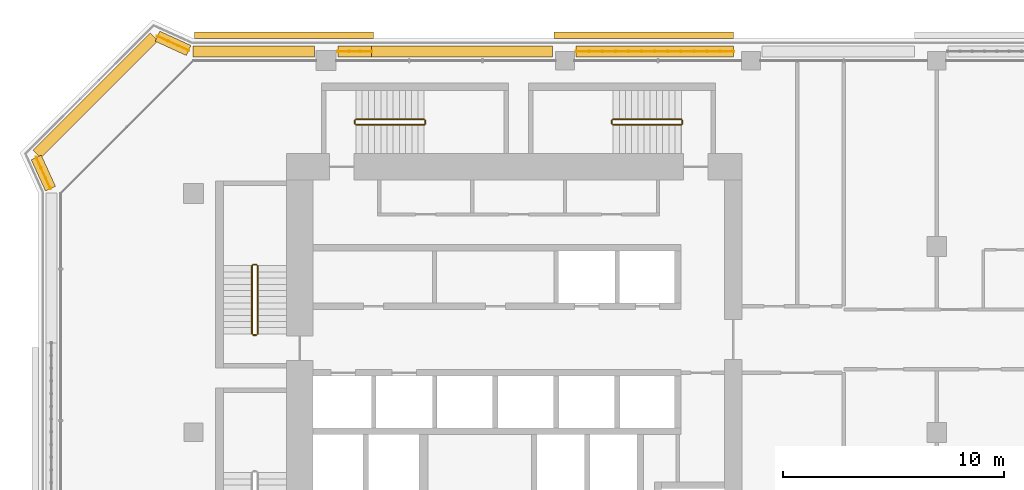
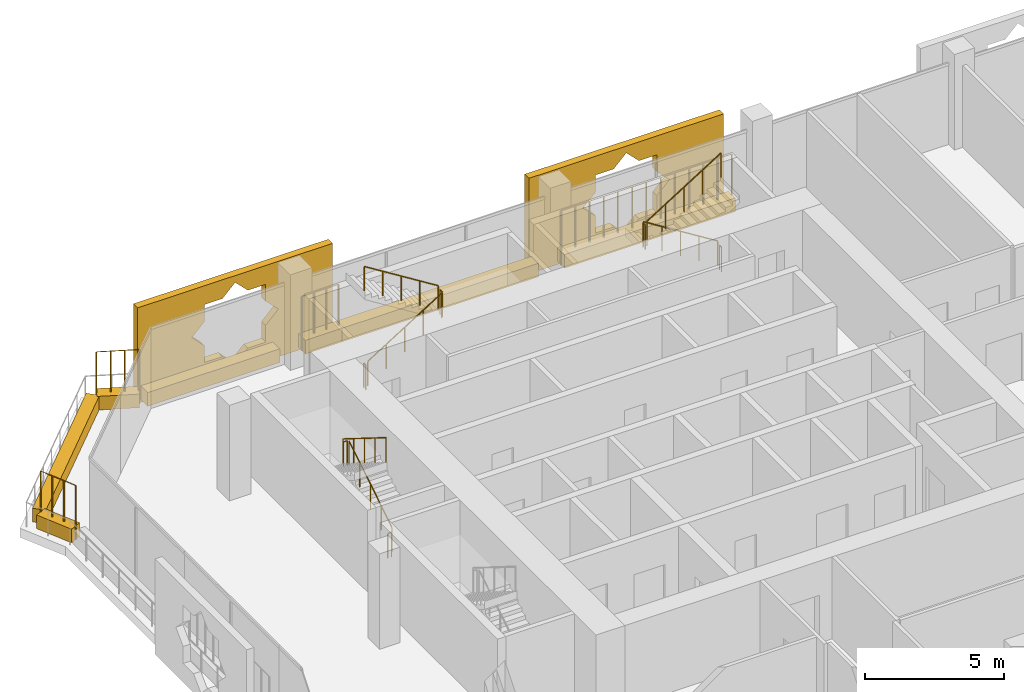
# One storey, part 20 of 22: 16 railings, 9 coverings.
"""IFC4 building model written with IfcOpenShell, lengths in metres."""

from ifc_helpers import new_model, si_unit, direction, frame, origin, origin_2d, place, context, subcontext, project, spatial, polyline, rectangle, circle, outline, extrude, material, material_profile, profile_set, type_object, element, save


model = new_model("IFC4")

# Units and contexts
model_context = context("Model", 3, precision=1e-05, world=origin(), true_north=direction((0.0, 1.0)))
body_context = subcontext(model_context, "Body", "Model", "MODEL_VIEW")
ifc_project = project(units=[si_unit("LENGTHUNIT", "METRE"), si_unit("AREAUNIT", "SQUARE_METRE"), si_unit("VOLUMEUNIT", "CUBIC_METRE"), si_unit("PLANEANGLEUNIT", "RADIAN"), si_unit("MASSUNIT", "GRAM", prefix="KILO")], contexts=[model_context])

# Site, building, storey
site_placement = place(None, origin())
site = spatial("IfcSite", under=ifc_project, at=site_placement, CompositionType="ELEMENT")
building_placement = place(site_placement, origin())
building = spatial("IfcBuilding", under=site, at=building_placement, Name="Kawkab Arch Medical Tower", CompositionType="ELEMENT")
storey_placement = place(building_placement, frame((0.0, 0.0, 251.60009765625)))
storey = spatial("IfcBuildingStorey", under=building, at=storey_placement, Name="L58", CompositionType="ELEMENT", Elevation=251.60009765625)

# Coverings
ifc_material_1 = material(Name="Bronze anodised aluminium mashrabiya panel, eight-point star pattern", Category="aluminium")
ifc_material_profile_1 = material_profile(ifc_material_1, outline(polyline([(-4.050048828125, -2.10009765625), (4.050048828125, -2.10009765625), (4.050048828125, 2.10009765625), (-4.050048828125, 2.10009765625), (-4.050048828125, -2.10009765625)]), holes=[polyline([(1.800048828125, 0.0), (1.272705078125, 0.527099609375), (1.272705078125, 1.272705078125), (0.527099609375, 1.272705078125), (0.0, 1.800048828125), (-0.527099609375, 1.272705078125), (-1.272705078125, 1.272705078125), (-1.272705078125, 0.527099609375), (-1.800048828125, 0.0), (-1.272705078125, -0.527099609375), (-1.272705078125, -1.272705078125), (-0.527099609375, -1.272705078125), (0.0, -1.800048828125), (0.527099609375, -1.272705078125), (1.272705078125, -1.272705078125), (1.272705078125, -0.527099609375), (1.800048828125, 0.0)])]), Name="Mashrabiya panel 8100x4200")
ifc_profile_set_1 = profile_set([ifc_material_profile_1], Name="Bronze anodised aluminium mashrabiya panel, eight-point star pattern")
covering_type_1 = type_object("IfcCoveringType", Name="Mashrabiya panel 8100 x 4200", PredefinedType="USERDEFINED", material=ifc_profile_set_1)
for number, where, z_axis, x_axis, name in (
    (1, (4.089599609375, 1.0, 1.699951171875), (0.0, 1.0, 0.0), (-1.0, 0.0, 0.0), "Mashrabiya panel L58.LOG-01-01.5"),
    (2, (20.3564453125, 1.0, 1.699951171875), (0.0, 1.0, 0.0), (-1.0, 0.0, 0.0), "Mashrabiya panel L58.LOG-01-01.6"),
):
    element("IfcCovering", number, at=place(storey_placement, frame(where, z_axis=z_axis, x_axis=x_axis)), inside=storey, type_object=covering_type_1, Name=name, ObjectType="SCREEN", PredefinedType="USERDEFINED", context=body_context, shape_type="SweptSolid", body=[
        extrude(outline(polyline([(-4.050048828125, -2.10009765625), (4.050048828125, -2.10009765625), (4.050048828125, 2.10009765625), (-4.050048828125, 2.10009765625), (-4.050048828125, -2.10009765625)]), holes=[polyline([(1.800048828125, 0.0), (1.272705078125, 0.527099609375), (1.272705078125, 1.272705078125), (0.527099609375, 1.272705078125), (0.0, 1.800048828125), (-0.527099609375, 1.272705078125), (-1.272705078125, 1.272705078125), (-1.272705078125, 0.527099609375), (-1.800048828125, 0.0), (-1.272705078125, -0.527099609375), (-1.272705078125, -1.272705078125), (-0.527099609375, -1.272705078125), (0.0, -1.800048828125), (0.527099609375, -1.272705078125), (1.272705078125, -1.272705078125), (1.272705078125, -0.527099609375), (1.800048828125, 0.0)])]), origin(), (0.0, 0.0, 1.0), 0.300048828125),
    ])
ifc_material_2 = material(Name="Planting soil in a precast trough", Category="concrete")
ifc_material_profile_2 = material_profile(ifc_material_2, rectangle(XDim=0.5, YDim=0.60009765625, at=origin_2d()), Name="Trough 500x600")
ifc_profile_set_2 = profile_set([ifc_material_profile_2], Name="Planting soil in a precast trough")
covering_type_2 = type_object("IfcCoveringType", Name="Planter trough 500 x 600", PredefinedType="USERDEFINED", material=ifc_profile_set_2)
covering_1_placement = place(storey_placement, frame((-6.4609375, -5.782958984375, 0.2998046875), z_axis=(-0.415363486165, 0.909655525109, 0.0), x_axis=(-0.909655525109, -0.415363486165, 0.0)))
element("IfcCovering", 3, at=covering_1_placement, inside=storey, type_object=covering_type_2, Name="Planter L58.LOG-01-01.13", ObjectType="PLANTER", PredefinedType="USERDEFINED", context=body_context, shape_type="SweptSolid", body=[
    extrude(rectangle(XDim=0.5, YDim=0.60009765625, at=origin_2d()), origin(), (0.0, 0.0, 1.0), 1.54345703125),
])
covering_2_placement = place(storey_placement, frame((-7.072998046875, -4.217041015625, 0.2998046875), z_axis=(0.707106781187, 0.707106781187, 0.0), x_axis=(-0.707106781187, 0.707106781187, 0.0)))
element("IfcCovering", 4, at=covering_2_placement, inside=storey, type_object=covering_type_2, Name="Planter L58.LOG-01-01.14", ObjectType="PLANTER", PredefinedType="USERDEFINED", context=body_context, shape_type="SweptSolid", body=[
    extrude(rectangle(XDim=0.5, YDim=0.60009765625, at=origin_2d()), origin(), (0.0, 0.0, 1.0), 7.481201171875),
])
covering_3_placement = place(storey_placement, frame((-1.62109375, 1.10205078125, 0.2998046875), z_axis=(0.909655525109, -0.415363486165, 0.0), x_axis=(0.415363486165, 0.909655525109, 0.0)))
element("IfcCovering", 5, at=covering_3_placement, inside=storey, type_object=covering_type_2, Name="Planter L58.LOG-01-01.15", ObjectType="PLANTER", PredefinedType="USERDEFINED", context=body_context, shape_type="SweptSolid", body=[
    extrude(rectangle(XDim=0.5, YDim=0.60009765625, at=origin_2d()), origin(), (0.0, 0.0, 1.0), 1.54345703125),
])
covering_4_placement = place(storey_placement, frame((-0.02587890625, 0.419921875, 0.2998046875), z_axis=(1.0, 0.0, 0.0), x_axis=(0.0, 1.0, 0.0)))
element("IfcCovering", 6, at=covering_4_placement, inside=storey, type_object=covering_type_2, Name="Planter L58.LOG-01-01.16", ObjectType="PLANTER", PredefinedType="USERDEFINED", context=body_context, shape_type="SweptSolid", body=[
    extrude(rectangle(XDim=0.5, YDim=0.60009765625, at=origin_2d()), origin(), (0.0, 0.0, 1.0), 5.495849609375),
])
covering_5_placement = place(storey_placement, frame((6.530029296875, 0.419921875, 0.2998046875), z_axis=(1.0, 0.0, 0.0), x_axis=(0.0, 1.0, 0.0)))
element("IfcCovering", 7, at=covering_5_placement, inside=storey, type_object=covering_type_2, Name="Planter L58.LOG-01-01.17", ObjectType="PLANTER", PredefinedType="USERDEFINED", context=body_context, shape_type="SweptSolid", body=[
    extrude(rectangle(XDim=0.5, YDim=0.60009765625, at=origin_2d()), origin(), (0.0, 0.0, 1.0), 1.52294921875),
])
covering_6_placement = place(storey_placement, frame((8.052978515625, 0.419921875, 0.2998046875), z_axis=(1.0, 0.0, 0.0), x_axis=(0.0, 1.0, 0.0)))
element("IfcCovering", 8, at=covering_6_placement, inside=storey, type_object=covering_type_2, Name="Planter L58.LOG-01-01.18", ObjectType="PLANTER", PredefinedType="USERDEFINED", context=body_context, shape_type="SweptSolid", body=[
    extrude(rectangle(XDim=0.5, YDim=0.60009765625, at=origin_2d()), origin(), (0.0, 0.0, 1.0), 8.178955078125),
])
covering_7_placement = place(storey_placement, frame((17.304931640625, 0.419921875, 0.2998046875), z_axis=(1.0, 0.0, 0.0), x_axis=(0.0, 1.0, 0.0)))
element("IfcCovering", 9, at=covering_7_placement, inside=storey, type_object=covering_type_2, Name="Planter L58.LOG-01-01.19", ObjectType="PLANTER", PredefinedType="USERDEFINED", context=body_context, shape_type="SweptSolid", body=[
    extrude(rectangle(XDim=0.5, YDim=0.60009765625, at=origin_2d()), origin(), (0.0, 0.0, 1.0), 7.10595703125),
])

# Railings
ifc_material_3 = material(Name="Bronze anodised aluminium trellis for climbing plants", Category="aluminium")
railing_type_1 = type_object("IfcRailingType", Name="Planting trellis 2400", PredefinedType="USERDEFINED", material=ifc_material_3)
railing_1_placement = place(storey_placement, frame((-6.4609375, -5.782958984375, 0.0)))
element("IfcRailing", 10, at=railing_1_placement, inside=storey, type_object=railing_type_1, Name="Planting trellis L58.LOG-01-01.13", ObjectType="TRELLIS", PredefinedType="USERDEFINED", context=body_context, shape_type="SweptSolid", body=[
    extrude(circle(Radius=0.01513671875, at=origin_2d()), frame((0.0, 0.0, 2.384765625), z_axis=(-0.415363486165, 0.909655525109, 0.0), x_axis=(-0.909655525109, -0.415363486165, 0.0)), (0.0, 0.0, 1.0), 1.54345703125),
    extrude(circle(Radius=0.030029296875, at=origin_2d()), origin(), (0.0, 0.0, 1.0), 2.369873046875),
    extrude(circle(Radius=0.030029296875, at=origin_2d()), frame((-0.213623046875, 0.468017578125, 0.0)), (0.0, 0.0, 1.0), 2.369873046875),
    extrude(circle(Radius=0.030029296875, at=origin_2d()), frame((-0.427490234375, 0.93603515625, 0.0)), (0.0, 0.0, 1.0), 2.369873046875),
    extrude(circle(Radius=0.030029296875, at=origin_2d()), frame((-0.64111328125, 1.404052734375, 0.0)), (0.0, 0.0, 1.0), 2.369873046875),
])
railing_2_placement = place(storey_placement, frame((-1.62109375, 1.10205078125, 0.0)))
element("IfcRailing", 11, at=railing_2_placement, inside=storey, type_object=railing_type_1, Name="Planting trellis L58.LOG-01-01.15", ObjectType="TRELLIS", PredefinedType="USERDEFINED", context=body_context, shape_type="SweptSolid", body=[
    extrude(circle(Radius=0.01513671875, at=origin_2d()), frame((0.0, 0.0, 2.384765625), z_axis=(0.909655525109, -0.415363486165, 0.0), x_axis=(0.415363486165, 0.909655525109, 0.0)), (0.0, 0.0, 1.0), 1.54345703125),
    extrude(circle(Radius=0.030029296875, at=origin_2d()), origin(), (0.0, 0.0, 1.0), 2.369873046875),
    extrude(circle(Radius=0.030029296875, at=origin_2d()), frame((0.468017578125, -0.213623046875, 0.0)), (0.0, 0.0, 1.0), 2.369873046875),
    extrude(circle(Radius=0.030029296875, at=origin_2d()), frame((0.93603515625, -0.427490234375, 0.0)), (0.0, 0.0, 1.0), 2.369873046875),
    extrude(circle(Radius=0.030029296875, at=origin_2d()), frame((1.404052734375, -0.64111328125, 0.0)), (0.0, 0.0, 1.0), 2.369873046875),
])
railing_3_placement = place(storey_placement, frame((6.530029296875, 0.419921875, 0.0)))
element("IfcRailing", 12, at=railing_3_placement, inside=storey, type_object=railing_type_1, Name="Planting trellis L58.LOG-01-01.17", ObjectType="TRELLIS", PredefinedType="USERDEFINED", context=body_context, shape_type="SweptSolid", body=[
    extrude(circle(Radius=0.01513671875, at=origin_2d()), frame((0.0, 0.0, 2.384765625), z_axis=(1.0, 0.0, 0.0), x_axis=(0.0, 1.0, 0.0)), (0.0, 0.0, 1.0), 1.52294921875),
    extrude(circle(Radius=0.030029296875, at=origin_2d()), origin(), (0.0, 0.0, 1.0), 2.369873046875),
    extrude(circle(Radius=0.030029296875, at=origin_2d()), frame((0.507568359375, 0.0, 0.0)), (0.0, 0.0, 1.0), 2.369873046875),
    extrude(circle(Radius=0.030029296875, at=origin_2d()), frame((1.015380859375, 0.0, 0.0)), (0.0, 0.0, 1.0), 2.369873046875),
    extrude(circle(Radius=0.030029296875, at=origin_2d()), frame((1.52294921875, 0.0, 0.0)), (0.0, 0.0, 1.0), 2.369873046875),
])
railing_4_placement = place(storey_placement, frame((17.304931640625, 0.419921875, 0.0)))
element("IfcRailing", 13, at=railing_4_placement, inside=storey, type_object=railing_type_1, Name="Planting trellis L58.LOG-01-01.19", ObjectType="TRELLIS", PredefinedType="USERDEFINED", context=body_context, shape_type="SweptSolid", body=[
    extrude(circle(Radius=0.01513671875, at=origin_2d()), frame((0.0, 0.0, 2.384765625), z_axis=(1.0, 0.0, 0.0), x_axis=(0.0, 1.0, 0.0)), (0.0, 0.0, 1.0), 7.10595703125),
    extrude(circle(Radius=0.030029296875, at=origin_2d()), origin(), (0.0, 0.0, 1.0), 2.369873046875),
    extrude(circle(Radius=0.030029296875, at=origin_2d()), frame((0.59228515625, 0.0, 0.0)), (0.0, 0.0, 1.0), 2.369873046875),
    extrude(circle(Radius=0.030029296875, at=origin_2d()), frame((1.184326171875, 0.0, 0.0)), (0.0, 0.0, 1.0), 2.369873046875),
    extrude(circle(Radius=0.030029296875, at=origin_2d()), frame((1.7763671875, 0.0, 0.0)), (0.0, 0.0, 1.0), 2.369873046875),
    extrude(circle(Radius=0.030029296875, at=origin_2d()), frame((2.36865234375, 0.0, 0.0)), (0.0, 0.0, 1.0), 2.369873046875),
    extrude(circle(Radius=0.030029296875, at=origin_2d()), frame((2.9609375, 0.0, 0.0)), (0.0, 0.0, 1.0), 2.369873046875),
    extrude(circle(Radius=0.030029296875, at=origin_2d()), frame((3.552978515625, 0.0, 0.0)), (0.0, 0.0, 1.0), 2.369873046875),
    extrude(circle(Radius=0.030029296875, at=origin_2d()), frame((4.14501953125, 0.0, 0.0)), (0.0, 0.0, 1.0), 2.369873046875),
    extrude(circle(Radius=0.030029296875, at=origin_2d()), frame((4.7373046875, 0.0, 0.0)), (0.0, 0.0, 1.0), 2.369873046875),
    extrude(circle(Radius=0.030029296875, at=origin_2d()), frame((5.32958984375, 0.0, 0.0)), (0.0, 0.0, 1.0), 2.369873046875),
    extrude(circle(Radius=0.030029296875, at=origin_2d()), frame((5.921630859375, 0.0, 0.0)), (0.0, 0.0, 1.0), 2.369873046875),
    extrude(circle(Radius=0.030029296875, at=origin_2d()), frame((6.513671875, 0.0, 0.0)), (0.0, 0.0, 1.0), 2.369873046875),
    extrude(circle(Radius=0.030029296875, at=origin_2d()), frame((7.10595703125, 0.0, 0.0)), (0.0, 0.0, 1.0), 2.369873046875),
])
ifc_material_4 = material(Name="Stainless steel", Category="steel")
railing_type_2 = type_object("IfcRailingType", Name="Stair guard 1100", PredefinedType="GUARDRAIL", material=ifc_material_4)
railing_5_placement = place(storey_placement, frame((2.89990234375, -12.35009765625, 0.1748046875)))
element("IfcRailing", 14, at=railing_5_placement, inside=storey, type_object=railing_type_2, Name="L58 ST1 stair guard 1", PredefinedType="GUARDRAIL", context=body_context, shape_type="SweptSolid", body=[
    extrude(circle(Radius=0.02392578125, at=origin_2d()), frame((0.0, 0.0, 1.076171875), z_axis=(0.0, 0.847998304005, 0.529998940003), x_axis=(-1.0, 0.0, 0.0)), (0.0, 0.0, 1.0), 3.632080078125),
    extrude(circle(Radius=0.02099609375, at=origin_2d()), origin(), (0.0, 0.0, 1.0), 1.052001953125),
    extrude(circle(Radius=0.02099609375, at=origin_2d()), frame((0.0, 0.77001953125, 0.481201171875)), (0.0, 0.0, 1.0), 1.052001953125),
    extrude(circle(Radius=0.02099609375, at=origin_2d()), frame((0.0, 1.5400390625, 0.96240234375)), (0.0, 0.0, 1.0), 1.052001953125),
    extrude(circle(Radius=0.02099609375, at=origin_2d()), frame((0.0, 2.31005859375, 1.44384765625)), (0.0, 0.0, 1.0), 1.052001953125),
    extrude(circle(Radius=0.02099609375, at=origin_2d()), frame((0.0, 3.080078125, 1.925048828125)), (0.0, 0.0, 1.0), 1.052001953125),
])
railing_6_placement = place(storey_placement, frame((2.85009765625, -9.219970703125, 2.099853515625)))
element("IfcRailing", 15, at=railing_6_placement, inside=storey, type_object=railing_type_2, Name="L58 ST1 stair guard 2", PredefinedType="GUARDRAIL", context=body_context, shape_type="SweptSolid", body=[
    extrude(circle(Radius=0.02392578125, at=origin_2d()), frame((0.0, 0.0, 1.076171875), z_axis=(-1.0, 0.0, 0.0), x_axis=(0.0, -1.0, 0.0)), (0.0, 0.0, 1.0), 0.150146484375),
    extrude(circle(Radius=0.02099609375, at=origin_2d()), origin(), (0.0, 0.0, 1.0), 1.052001953125),
    extrude(circle(Radius=0.02099609375, at=origin_2d()), frame((-0.150146484375, 0.0, 0.0)), (0.0, 0.0, 1.0), 1.052001953125),
])
railing_7_placement = place(storey_placement, frame((2.64990234375, -9.27001953125, 2.27490234375)))
element("IfcRailing", 16, at=railing_7_placement, inside=storey, type_object=railing_type_2, Name="L58 ST1 stair guard 3", PredefinedType="GUARDRAIL", context=body_context, shape_type="SweptSolid", body=[
    extrude(circle(Radius=0.02392578125, at=origin_2d()), frame((0.0, 0.0, 1.076171875), z_axis=(0.0, -0.847998304005, 0.529998940003), x_axis=(1.0, 0.0, 0.0)), (0.0, 0.0, 1.0), 3.632080078125),
    extrude(circle(Radius=0.02099609375, at=origin_2d()), origin(), (0.0, 0.0, 1.0), 1.052001953125),
    extrude(circle(Radius=0.02099609375, at=origin_2d()), frame((0.0, -0.77001953125, 0.481201171875)), (0.0, 0.0, 1.0), 1.052001953125),
    extrude(circle(Radius=0.02099609375, at=origin_2d()), frame((0.0, -1.5400390625, 0.96240234375)), (0.0, 0.0, 1.0), 1.052001953125),
    extrude(circle(Radius=0.02099609375, at=origin_2d()), frame((0.0, -2.31005859375, 1.44384765625)), (0.0, 0.0, 1.0), 1.052001953125),
    extrude(circle(Radius=0.02099609375, at=origin_2d()), frame((0.0, -3.080078125, 1.925048828125)), (0.0, 0.0, 1.0), 1.052001953125),
])
railing_8_placement = place(storey_placement, frame((2.85009765625, -12.39990234375, 0.0)))
element("IfcRailing", 17, at=railing_8_placement, inside=storey, type_object=railing_type_2, Name="L58 ST1 stair guard 4", PredefinedType="GUARDRAIL", context=body_context, shape_type="SweptSolid", body=[
    extrude(circle(Radius=0.02392578125, at=origin_2d()), frame((0.0, 0.0, 1.076171875), z_axis=(-1.0, 0.0, 0.0), x_axis=(0.0, -1.0, 0.0)), (0.0, 0.0, 1.0), 0.150146484375),
    extrude(circle(Radius=0.02099609375, at=origin_2d()), origin(), (0.0, 0.0, 1.0), 1.052001953125),
    extrude(circle(Radius=0.02099609375, at=origin_2d()), frame((-0.150146484375, 0.0, 0.0)), (0.0, 0.0, 1.0), 1.052001953125),
])
railing_9_placement = place(storey_placement, frame((7.35009765625, -2.89990234375, 0.1748046875)))
element("IfcRailing", 18, at=railing_9_placement, inside=storey, type_object=railing_type_2, Name="L58 ST3 stair guard 1", PredefinedType="GUARDRAIL", context=body_context, shape_type="SweptSolid", body=[
    extrude(circle(Radius=0.02392578125, at=origin_2d()), frame((0.0, 0.0, 1.076171875), z_axis=(0.847979421464, 0.0, 0.530029150871), x_axis=(0.0, 1.0, 0.0)), (0.0, 0.0, 1.0), 3.632080078125),
    extrude(circle(Radius=0.02099609375, at=origin_2d()), origin(), (0.0, 0.0, 1.0), 1.052001953125),
    extrude(circle(Radius=0.02099609375, at=origin_2d()), frame((0.77001953125, 0.0, 0.481201171875)), (0.0, 0.0, 1.0), 1.052001953125),
    extrude(circle(Radius=0.02099609375, at=origin_2d()), frame((1.5400390625, 0.0, 0.96240234375)), (0.0, 0.0, 1.0), 1.052001953125),
    extrude(circle(Radius=0.02099609375, at=origin_2d()), frame((2.309814453125, 0.0, 1.44384765625)), (0.0, 0.0, 1.0), 1.052001953125),
    extrude(circle(Radius=0.02099609375, at=origin_2d()), frame((3.079833984375, 0.0, 1.925048828125)), (0.0, 0.0, 1.0), 1.052001953125),
])
railing_10_placement = place(storey_placement, frame((10.47998046875, -2.85009765625, 2.099853515625)))
element("IfcRailing", 19, at=railing_10_placement, inside=storey, type_object=railing_type_2, Name="L58 ST3 stair guard 2", PredefinedType="GUARDRAIL", context=body_context, shape_type="SweptSolid", body=[
    extrude(circle(Radius=0.02392578125, at=origin_2d()), frame((0.0, 0.0, 1.076171875), z_axis=(0.0, 1.0, 0.0), x_axis=(-1.0, 0.0, 0.0)), (0.0, 0.0, 1.0), 0.150146484375),
    extrude(circle(Radius=0.02099609375, at=origin_2d()), origin(), (0.0, 0.0, 1.0), 1.052001953125),
    extrude(circle(Radius=0.02099609375, at=origin_2d()), frame((0.0, 0.150146484375, 0.0)), (0.0, 0.0, 1.0), 1.052001953125),
])
railing_11_placement = place(storey_placement, frame((10.429931640625, -2.64990234375, 2.27490234375)))
element("IfcRailing", 20, at=railing_11_placement, inside=storey, type_object=railing_type_2, Name="L58 ST3 stair guard 3", PredefinedType="GUARDRAIL", context=body_context, shape_type="SweptSolid", body=[
    extrude(circle(Radius=0.02392578125, at=origin_2d()), frame((0.0, 0.0, 1.076171875), z_axis=(-0.847979421464, 0.0, 0.530029150871), x_axis=(0.0, -1.0, 0.0)), (0.0, 0.0, 1.0), 3.632080078125),
    extrude(circle(Radius=0.02099609375, at=origin_2d()), origin(), (0.0, 0.0, 1.0), 1.052001953125),
    extrude(circle(Radius=0.02099609375, at=origin_2d()), frame((-0.77001953125, 0.0, 0.481201171875)), (0.0, 0.0, 1.0), 1.052001953125),
    extrude(circle(Radius=0.02099609375, at=origin_2d()), frame((-1.5400390625, 0.0, 0.96240234375)), (0.0, 0.0, 1.0), 1.052001953125),
    extrude(circle(Radius=0.02099609375, at=origin_2d()), frame((-2.309814453125, 0.0, 1.44384765625)), (0.0, 0.0, 1.0), 1.052001953125),
    extrude(circle(Radius=0.02099609375, at=origin_2d()), frame((-3.079833984375, 0.0, 1.925048828125)), (0.0, 0.0, 1.0), 1.052001953125),
])
railing_12_placement = place(storey_placement, frame((7.300048828125, -2.85009765625, 0.0)))
element("IfcRailing", 21, at=railing_12_placement, inside=storey, type_object=railing_type_2, Name="L58 ST3 stair guard 4", PredefinedType="GUARDRAIL", context=body_context, shape_type="SweptSolid", body=[
    extrude(circle(Radius=0.02392578125, at=origin_2d()), frame((0.0, 0.0, 1.076171875), z_axis=(0.0, 1.0, 0.0), x_axis=(-1.0, 0.0, 0.0)), (0.0, 0.0, 1.0), 0.150146484375),
    extrude(circle(Radius=0.02099609375, at=origin_2d()), origin(), (0.0, 0.0, 1.0), 1.052001953125),
    extrude(circle(Radius=0.02099609375, at=origin_2d()), frame((0.0, 0.150146484375, 0.0)), (0.0, 0.0, 1.0), 1.052001953125),
])
railing_13_placement = place(storey_placement, frame((22.050048828125, -2.64990234375, 0.1748046875)))
element("IfcRailing", 22, at=railing_13_placement, inside=storey, type_object=railing_type_2, Name="L58 ST4 stair guard 1", PredefinedType="GUARDRAIL", context=body_context, shape_type="SweptSolid", body=[
    extrude(circle(Radius=0.02392578125, at=origin_2d()), frame((0.0, 0.0, 1.076171875), z_axis=(-0.847998304005, 0.0, 0.529998940003), x_axis=(0.0, -1.0, 0.0)), (0.0, 0.0, 1.0), 3.632080078125),
    extrude(circle(Radius=0.02099609375, at=origin_2d()), origin(), (0.0, 0.0, 1.0), 1.052001953125),
    extrude(circle(Radius=0.02099609375, at=origin_2d()), frame((-0.77001953125, 0.0, 0.481201171875)), (0.0, 0.0, 1.0), 1.052001953125),
    extrude(circle(Radius=0.02099609375, at=origin_2d()), frame((-1.5400390625, 0.0, 0.96240234375)), (0.0, 0.0, 1.0), 1.052001953125),
    extrude(circle(Radius=0.02099609375, at=origin_2d()), frame((-2.31005859375, 0.0, 1.44384765625)), (0.0, 0.0, 1.0), 1.052001953125),
    extrude(circle(Radius=0.02099609375, at=origin_2d()), frame((-3.080078125, 0.0, 1.925048828125)), (0.0, 0.0, 1.0), 1.052001953125),
])
railing_14_placement = place(storey_placement, frame((18.919921875, -2.699951171875, 2.099853515625)))
element("IfcRailing", 23, at=railing_14_placement, inside=storey, type_object=railing_type_2, Name="L58 ST4 stair guard 2", PredefinedType="GUARDRAIL", context=body_context, shape_type="SweptSolid", body=[
    extrude(circle(Radius=0.02392578125, at=origin_2d()), frame((0.0, 0.0, 1.076171875), z_axis=(0.0, -1.0, 0.0), x_axis=(1.0, 0.0, 0.0)), (0.0, 0.0, 1.0), 0.150146484375),
    extrude(circle(Radius=0.02099609375, at=origin_2d()), origin(), (0.0, 0.0, 1.0), 1.052001953125),
    extrude(circle(Radius=0.02099609375, at=origin_2d()), frame((0.0, -0.150146484375, 0.0)), (0.0, 0.0, 1.0), 1.052001953125),
])
railing_15_placement = place(storey_placement, frame((18.969970703125, -2.89990234375, 2.27490234375)))
element("IfcRailing", 24, at=railing_15_placement, inside=storey, type_object=railing_type_2, Name="L58 ST4 stair guard 3", PredefinedType="GUARDRAIL", context=body_context, shape_type="SweptSolid", body=[
    extrude(circle(Radius=0.02392578125, at=origin_2d()), frame((0.0, 0.0, 1.076171875), z_axis=(0.847998304005, 0.0, 0.529998940003), x_axis=(0.0, 1.0, 0.0)), (0.0, 0.0, 1.0), 3.632080078125),
    extrude(circle(Radius=0.02099609375, at=origin_2d()), origin(), (0.0, 0.0, 1.0), 1.052001953125),
    extrude(circle(Radius=0.02099609375, at=origin_2d()), frame((0.77001953125, 0.0, 0.481201171875)), (0.0, 0.0, 1.0), 1.052001953125),
    extrude(circle(Radius=0.02099609375, at=origin_2d()), frame((1.5400390625, 0.0, 0.96240234375)), (0.0, 0.0, 1.0), 1.052001953125),
    extrude(circle(Radius=0.02099609375, at=origin_2d()), frame((2.31005859375, 0.0, 1.44384765625)), (0.0, 0.0, 1.0), 1.052001953125),
    extrude(circle(Radius=0.02099609375, at=origin_2d()), frame((3.080078125, 0.0, 1.925048828125)), (0.0, 0.0, 1.0), 1.052001953125),
])
railing_16_placement = place(storey_placement, frame((22.10009765625, -2.699951171875, 0.0)))
element("IfcRailing", 25, at=railing_16_placement, inside=storey, type_object=railing_type_2, Name="L58 ST4 stair guard 4", PredefinedType="GUARDRAIL", context=body_context, shape_type="SweptSolid", body=[
    extrude(circle(Radius=0.02392578125, at=origin_2d()), frame((0.0, 0.0, 1.076171875), z_axis=(0.0, -1.0, 0.0), x_axis=(1.0, 0.0, 0.0)), (0.0, 0.0, 1.0), 0.150146484375),
    extrude(circle(Radius=0.02099609375, at=origin_2d()), origin(), (0.0, 0.0, 1.0), 1.052001953125),
    extrude(circle(Radius=0.02099609375, at=origin_2d()), frame((0.0, -0.150146484375, 0.0)), (0.0, 0.0, 1.0), 1.052001953125),
])

save(model, "model.ifc")
